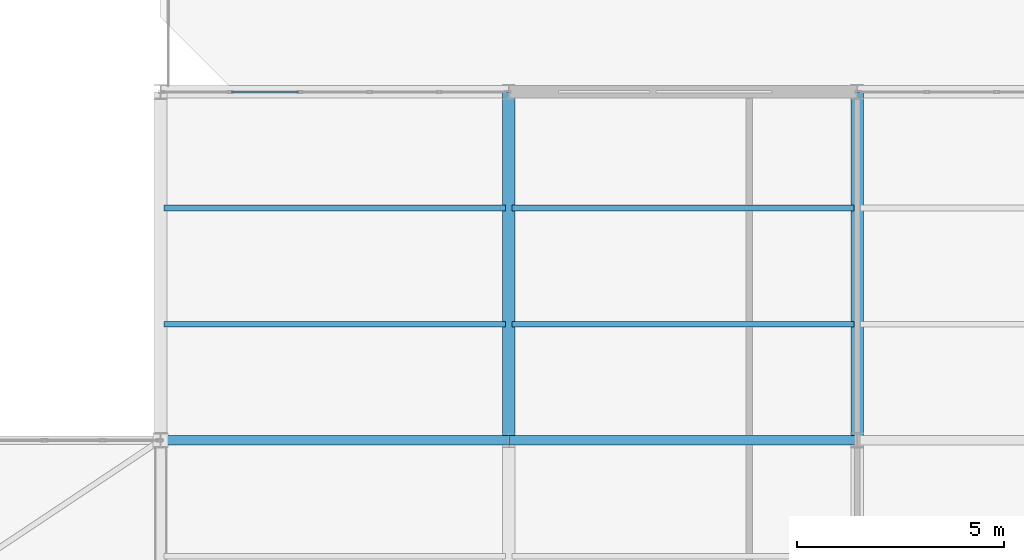
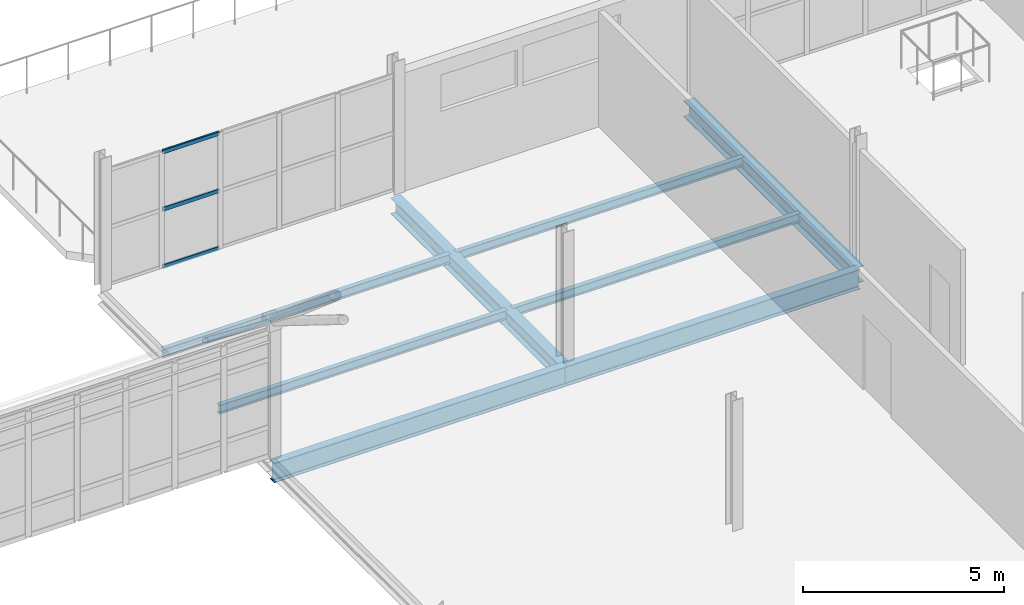
# One storey, part 99 of 184: 8 beams, 3 members, 1 element without a shape of its own.
"""IFC4 building model written with IfcOpenShell, lengths in metres."""

from ifc_helpers import new_model, si_unit, direction, frame, origin, origin_2d, place, context, subcontext, project, spatial, hollow_rectangle, i_section, extrude, material, layer, layer_set, material_profile, profile_set, type_object, element, aggregate, save


model = new_model("IFC4")

# Units and contexts
model_context = context("Model", 3, precision=1e-05, world=origin(), true_north=direction((0.0, 1.0)))
body_context = subcontext(model_context, "Body", "Model", "MODEL_VIEW")
ifc_project = project(units=[si_unit("LENGTHUNIT", "METRE"), si_unit("AREAUNIT", "SQUARE_METRE"), si_unit("VOLUMEUNIT", "CUBIC_METRE"), si_unit("PLANEANGLEUNIT", "RADIAN"), si_unit("MASSUNIT", "GRAM", prefix="KILO")], contexts=[model_context])

# Site, building, storey
site_placement = place(None, origin())
site = spatial("IfcSite", under=ifc_project, at=site_placement, CompositionType="ELEMENT")
building_placement = place(site_placement, origin())
building = spatial("IfcBuilding", under=site, at=building_placement, Name="Qalvenar Corner Mobility Hub", CompositionType="ELEMENT")
storey_placement = place(building_placement, frame((0.0, 0.0, 9.0)))
storey = spatial("IfcBuildingStorey", under=building, at=storey_placement, Name="L02", CompositionType="ELEMENT", Elevation=9.0)

# Beams
ifc_material_1 = material(Name="Steel S355", Category="steel")
ifc_material_profile_1 = material_profile(ifc_material_1, i_section(OverallWidth=0.300048828125, OverallDepth=0.489990234375, WebThickness=0.011962890625, FlangeThickness=0.02294921875, FilletRadius=0.027099609375, at=origin_2d()), Name="HEA500")
ifc_profile_set_1 = profile_set([ifc_material_profile_1], Name="Steel S355")
beam_type_1 = type_object("IfcBeamType", Name="BM-HEA500", PredefinedType="BEAM", material=ifc_profile_set_1)
for number, where, z_axis, x_axis, name in (
    (1, (117.60009765625, 33.60009765625, -0.425048828125), (0.0, 1.0, 0.0), (-1.0, 0.0, 0.0), "Primary Steel Girder GY-1720"),
    (2, (126.0, 33.60009765625, -0.425048828125), (0.0, 1.0, 0.0), (-1.0, 0.0, 0.0), "Primary Steel Girder GY-1725"),
):
    element("IfcBeam", number, at=place(storey_placement, frame(where, z_axis=z_axis, x_axis=x_axis)), inside=storey, type_object=beam_type_1, Name=name, PredefinedType="BEAM", context=body_context, shape_type="SweptSolid", body=[
        extrude(i_section(OverallWidth=0.300048828125, OverallDepth=0.489990234375, WebThickness=0.011962890625, FlangeThickness=0.02294921875, FilletRadius=0.027099609375, at=origin_2d()), origin(), (0.0, 0.0, 1.0), 8.39990234375),
    ])
ifc_material_profile_2 = material_profile(ifc_material_1, i_section(OverallWidth=0.219970703125, OverallDepth=0.60009765625, WebThickness=0.011962890625, FlangeThickness=0.01904296875, FilletRadius=0.02392578125, at=origin_2d()), Name="IPE600")
ifc_profile_set_2 = profile_set([ifc_material_profile_2], Name="Steel S355")
beam_type_2 = type_object("IfcBeamType", Name="BM-IPE600", PredefinedType="BEAM", material=ifc_profile_set_2)
beam_1_placement = place(storey_placement, frame((109.199951171875, 33.60009765625, -0.47998046875), z_axis=(1.0, 0.0, 0.0), x_axis=(0.0, 1.0, 0.0)))
element("IfcBeam", 3, at=beam_1_placement, inside=storey, type_object=beam_type_2, Name="Primary Steel Girder GX-1697", PredefinedType="BEAM", context=body_context, shape_type="SweptSolid", body=[
    extrude(i_section(OverallWidth=0.219970703125, OverallDepth=0.60009765625, WebThickness=0.011962890625, FlangeThickness=0.01904296875, FilletRadius=0.02392578125, at=origin_2d()), origin(), (0.0, 0.0, 1.0), 8.400146484375),
])
beam_2_placement = place(storey_placement, frame((117.60009765625, 33.60009765625, -0.47998046875), z_axis=(1.0, 0.0, 0.0), x_axis=(0.0, 1.0, 0.0)))
element("IfcBeam", 4, at=beam_2_placement, inside=storey, type_object=beam_type_2, Name="Primary Steel Girder GX-1698", PredefinedType="BEAM", context=body_context, shape_type="SweptSolid", body=[
    extrude(i_section(OverallWidth=0.219970703125, OverallDepth=0.60009765625, WebThickness=0.011962890625, FlangeThickness=0.01904296875, FilletRadius=0.02392578125, at=origin_2d()), origin(), (0.0, 0.0, 1.0), 8.39990234375),
])
ifc_material_profile_3 = material_profile(ifc_material_1, i_section(OverallWidth=0.135009765625, OverallDepth=0.27001953125, WebThickness=0.006591796875, FlangeThickness=0.01025390625, FilletRadius=0.014892578125, at=origin_2d()), Name="IPE270")
ifc_profile_set_3 = profile_set([ifc_material_profile_3], Name="Steel S355")
beam_type_3 = type_object("IfcBeamType", Name="BM-JST270", PredefinedType="JOIST", material=ifc_profile_set_3)
for number, where, z_axis, x_axis, name in (
    (5, (109.278076171875, 36.39990234375, -0.31494140625), (1.0, 0.0, 0.0), (0.0, 1.0, 0.0), "Composite Floor Joist J-1759"),
    (6, (109.278076171875, 39.199951171875, -0.31494140625), (1.0, 0.0, 0.0), (0.0, 1.0, 0.0), "Composite Floor Joist J-1760"),
):
    element("IfcBeam", number, at=place(storey_placement, frame(where, z_axis=z_axis, x_axis=x_axis)), inside=storey, type_object=beam_type_3, Name=name, PredefinedType="JOIST", context=body_context, shape_type="SweptSolid", body=[
        extrude(i_section(OverallWidth=0.135009765625, OverallDepth=0.27001953125, WebThickness=0.006591796875, FlangeThickness=0.01025390625, FilletRadius=0.014892578125, at=origin_2d()), origin(), (0.0, 0.0, 1.0), 8.243896484375),
    ])
for number, where, z_axis, x_axis, name in (
    (7, (117.677978515625, 36.39990234375, -0.31494140625), (1.0, 0.0, 0.0), (0.0, 1.0, 0.0), "Composite Floor Joist J-1769"),
    (8, (117.677978515625, 39.199951171875, -0.31494140625), (1.0, 0.0, 0.0), (0.0, 1.0, 0.0), "Composite Floor Joist J-1770"),
):
    element("IfcBeam", number, at=place(storey_placement, frame(where, z_axis=z_axis, x_axis=x_axis)), inside=storey, type_object=beam_type_3, Name=name, PredefinedType="JOIST", context=body_context, shape_type="SweptSolid", body=[
        extrude(i_section(OverallWidth=0.135009765625, OverallDepth=0.27001953125, WebThickness=0.006591796875, FlangeThickness=0.01025390625, FilletRadius=0.014892578125, at=origin_2d()), origin(), (0.0, 0.0, 1.0), 8.244140625),
    ])

# Curtain wall, members
ifc_material_2 = material(Name="Anodised Aluminium and Low-E Glazing", Category="aluminium")
ifc_layer = layer(ifc_material_2, 0.14990234375)
ifc_layer_set = layer_set([ifc_layer], Name="Anodised Aluminium and Low-E Glazing")
curtain_wall_type = type_object("IfcCurtainWallType", Name="CW-WKS-84X44", PredefinedType="NOTDEFINED", material=ifc_layer_set)
curtain_wall_placement = place(storey_placement, origin())
curtain_wall = element("IfcCurtainWall", 9, at=curtain_wall_placement, inside=storey, type_object=curtain_wall_type, Name="Glazed Curtain Wall CW-V6-L02-N0", PredefinedType="NOTDEFINED")
ifc_material_3 = material(Name="Anodised Aluminium 6063-T6", Category="aluminium")
ifc_material_profile_4 = material_profile(ifc_material_3, hollow_rectangle(XDim=0.054931640625, YDim=0.1201171875, WallThickness=0.00341796875, InnerFilletRadius=0.00341796875, OuterFilletRadius=0.007080078125, at=origin_2d()), Name="RHS120x55x3.5")
ifc_profile_set_4 = profile_set([ifc_material_profile_4], Name="Anodised Aluminium 6063-T6")
member_type = type_object("IfcMemberType", Name="CW-TRN120", PredefinedType="USERDEFINED", material=ifc_profile_set_4)
member_1_placement = place(storey_placement, frame((112.530029296875, 42.0, 0.027587890625), z_axis=(-1.0, 0.0, 0.0), x_axis=(0.0, -1.0, 0.0)))
member_1 = element("IfcMember", 10, at=member_1_placement, type_object=member_type, Name="CW-09 transom 4.1", ObjectType="TRANSOM", PredefinedType="USERDEFINED", context=body_context, shape_type="SweptSolid", body=[
    extrude(hollow_rectangle(XDim=0.054931640625, YDim=0.1201171875, WallThickness=0.00341796875, InnerFilletRadius=0.00341796875, OuterFilletRadius=0.007080078125, at=origin_2d()), origin(), (0.0, 0.0, 1.0), 1.6201171875),
])
member_2_placement = place(storey_placement, frame((112.530029296875, 42.0, 1.764892578125), z_axis=(-1.0, 0.0, 0.0), x_axis=(0.0, -1.0, 0.0)))
member_2 = element("IfcMember", 11, at=member_2_placement, type_object=member_type, Name="CW-09 transom 4.2", ObjectType="TRANSOM", PredefinedType="USERDEFINED", context=body_context, shape_type="SweptSolid", body=[
    extrude(hollow_rectangle(XDim=0.054931640625, YDim=0.1201171875, WallThickness=0.00341796875, InnerFilletRadius=0.00341796875, OuterFilletRadius=0.007080078125, at=origin_2d()), origin(), (0.0, 0.0, 1.0), 1.6201171875),
])
member_3_placement = place(storey_placement, frame((112.530029296875, 42.0, 3.50244140625), z_axis=(-1.0, 0.0, 0.0), x_axis=(0.0, -1.0, 0.0)))
member_3 = element("IfcMember", 12, at=member_3_placement, type_object=member_type, Name="CW-09 transom 4.3", ObjectType="TRANSOM", PredefinedType="USERDEFINED", context=body_context, shape_type="SweptSolid", body=[
    extrude(hollow_rectangle(XDim=0.054931640625, YDim=0.1201171875, WallThickness=0.00341796875, InnerFilletRadius=0.00341796875, OuterFilletRadius=0.007080078125, at=origin_2d()), origin(), (0.0, 0.0, 1.0), 1.6201171875),
])
aggregate(curtain_wall, [member_1, member_2, member_3])

save(model, "model.ifc")
